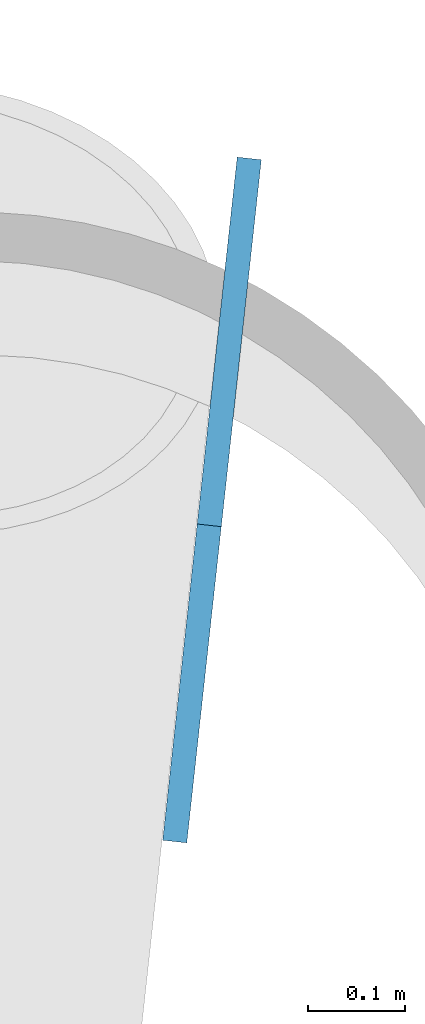
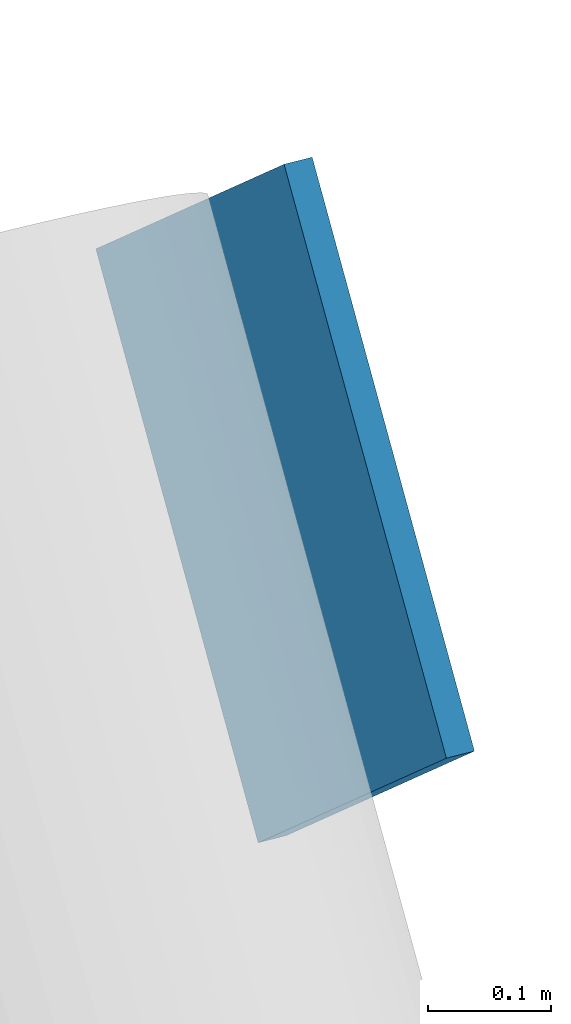
# One storey, part 11 of 22: 1 discrete accessory.
"""IFC4 building model written with IfcOpenShell, lengths in metres."""

from ifc_helpers import new_model, si_unit, direction, frame, origin, origin_2d, place, context, subcontext, project, spatial, rectangle, extrude, material, material_profile, profile_set, type_object, element, save


model = new_model("IFC4")

# Units and contexts
model_context = context("Model", 3, precision=1e-05, world=origin(), true_north=direction((0.0, 1.0)))
body_context = subcontext(model_context, "Body", "Model", "MODEL_VIEW")
ifc_project = project(units=[si_unit("LENGTHUNIT", "METRE"), si_unit("AREAUNIT", "SQUARE_METRE"), si_unit("VOLUMEUNIT", "CUBIC_METRE"), si_unit("PLANEANGLEUNIT", "RADIAN"), si_unit("MASSUNIT", "GRAM", prefix="KILO")], contexts=[model_context])

# Site, building, storey
site_placement = place(None, origin())
site = spatial("IfcSite", under=ifc_project, at=site_placement, CompositionType="ELEMENT")
building_placement = place(site_placement, origin())
building = spatial("IfcBuilding", under=site, at=building_placement, Name="Tarsis Ring Headquarters", CompositionType="ELEMENT")
storey_placement = place(building_placement, frame((0.0, 0.0, 63.39990234375)))
storey = spatial("IfcBuildingStorey", under=building, at=storey_placement, Name="L13", CompositionType="ELEMENT", Elevation=63.39990234375)

# Discrete accessory
ifc_material = material(Name="Structural steel S355", Category="steel")
ifc_material_profile = material_profile(ifc_material, rectangle(XDim=0.02490234375, YDim=0.5, at=origin_2d()), Name="PL 25x500")
ifc_profile_set = profile_set([ifc_material_profile], Name="Structural steel S355")
discrete_accessory_type = type_object("IfcDiscreteAccessoryType", Name="Gusset plate Exo brace 25", PredefinedType="BRACKET", material=ifc_profile_set)
discrete_accessory_placement = place(storey_placement, frame((29.204833984375, 3.001953125, 7.800048828125), z_axis=(-0.070812912807, -0.649036973241, -0.757453984573), x_axis=(0.994100710317, -0.108460950336, 0.0)))
element("IfcDiscreteAccessory", 1, at=discrete_accessory_placement, inside=storey, type_object=discrete_accessory_type, Name="Gusset plate GP5", PredefinedType="BRACKET", context=body_context, shape_type="SweptSolid", body=[
    extrude(rectangle(XDim=0.02490234375, YDim=0.5, at=origin_2d()), origin(), (0.0, 0.0, 1.0), 0.5),
])

save(model, "model.ifc")
